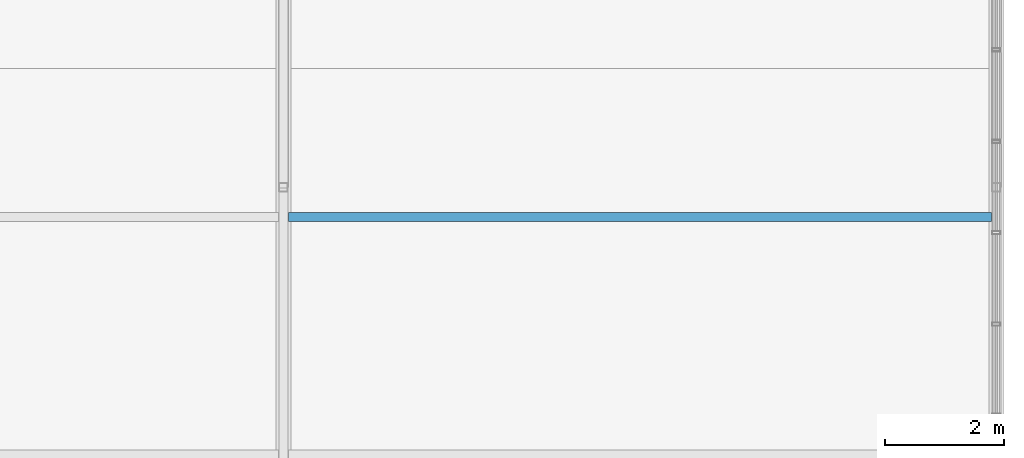
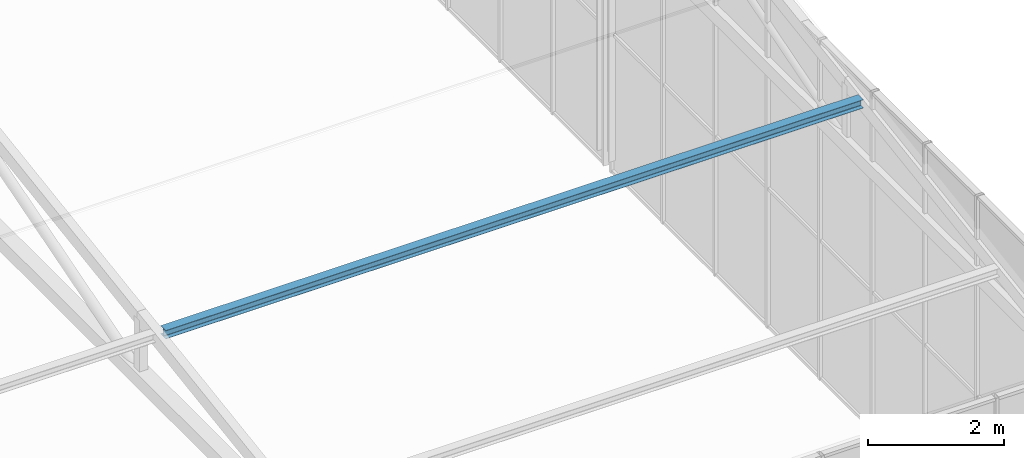
# One storey, part 61 of 104: 1 beam.
"""IFC4 building model written with IfcOpenShell, lengths in metres."""

from ifc_helpers import new_model, si_unit, direction, frame, origin, origin_2d, place, context, subcontext, project, spatial, i_section, extrude, material, material_profile, profile_set, type_object, element, save


model = new_model("IFC4")

# Units and contexts
model_context = context("Model", 3, precision=1e-05, world=origin(), true_north=direction((0.0, 1.0)))
body_context = subcontext(model_context, "Body", "Model", "MODEL_VIEW")
ifc_project = project(units=[si_unit("LENGTHUNIT", "METRE"), si_unit("AREAUNIT", "SQUARE_METRE"), si_unit("VOLUMEUNIT", "CUBIC_METRE"), si_unit("PLANEANGLEUNIT", "RADIAN"), si_unit("MASSUNIT", "GRAM", prefix="KILO")], contexts=[model_context])

# Site, building, storey
site_placement = place(None, origin())
site = spatial("IfcSite", under=ifc_project, at=site_placement, CompositionType="ELEMENT")
building_placement = place(site_placement, origin())
building = spatial("IfcBuilding", under=site, at=building_placement, Name="Solvenia Promenade Tram Depot", CompositionType="ELEMENT")
storey_placement = place(building_placement, frame((0.0, 0.0, 9.0)))
storey = spatial("IfcBuildingStorey", under=building, at=storey_placement, Name="L02", CompositionType="ELEMENT", Elevation=9.0)

# Beam
ifc_material = material(Name="Structural steel ASTM A992 Gr. 50", Category="steel")
ifc_material_profile = material_profile(ifc_material, i_section(OverallWidth=0.152099609375, OverallDepth=0.152099609375, WebThickness=0.005859375, FlangeThickness=0.006591796875, FilletRadius=0.008056640625, at=origin_2d()), Name="W150x22", Category="steel")
ifc_profile_set = profile_set([ifc_material_profile], Name="Structural steel ASTM A992 Gr. 50")
beam_type = type_object("IfcBeamType", Name="Purlin-W150x22", PredefinedType="USERDEFINED", material=ifc_profile_set)
beam_placement = place(storey_placement, frame((174.0849609375, 30.5, 5.52001953125), z_axis=(1.0, 0.0, 0.0), x_axis=(0.0, 1.0, 0.0)))
element("IfcBeam", 1, at=beam_placement, inside=storey, type_object=beam_type, Name="Clerestory Purlin 0218", ObjectType="PURLIN", PredefinedType="USERDEFINED", context=body_context, shape_type="SweptSolid", body=[
    extrude(i_section(OverallWidth=0.152099609375, OverallDepth=0.152099609375, WebThickness=0.005859375, FlangeThickness=0.006591796875, FilletRadius=0.008056640625, at=origin_2d()), origin(), (0.0, 0.0, 1.0), 11.830078125),
])

save(model, "model.ifc")
